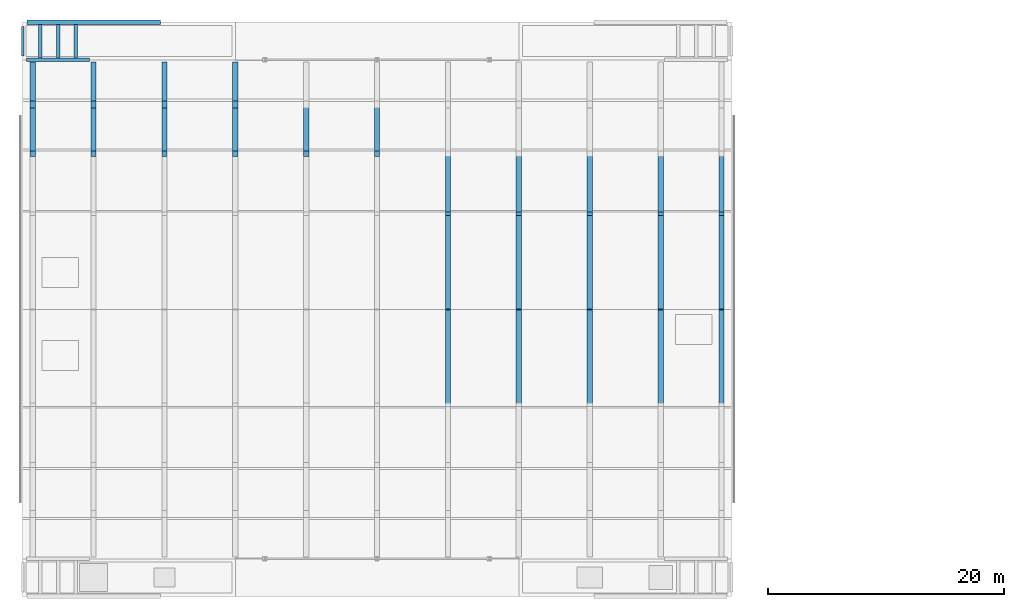
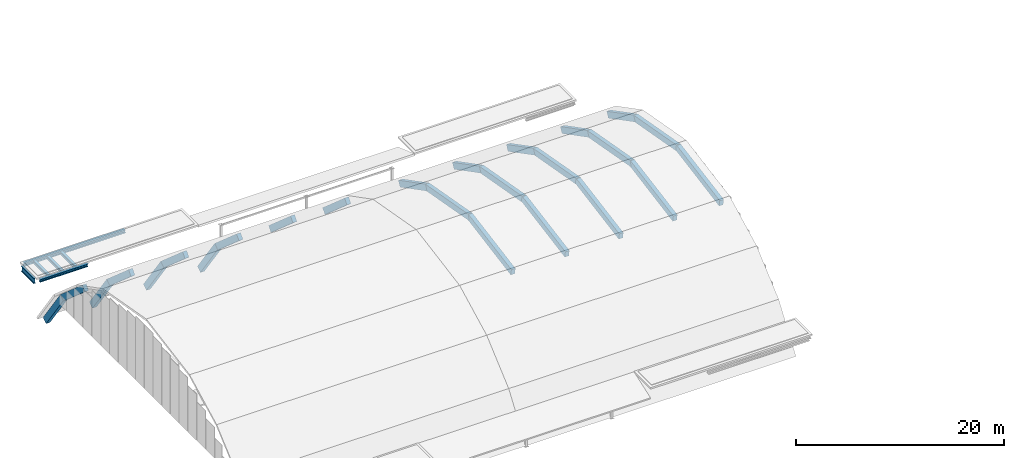
# One storey, part 18 of 42: 31 beams.
"""IFC4 building model written with IfcOpenShell, lengths in metres."""

from ifc_helpers import new_model, si_unit, direction, frame, origin, origin_2d, place, context, subcontext, project, spatial, rectangle, i_section, extrude, material, material_profile, profile_set, type_object, element, save


model = new_model("IFC4")

# Units and contexts
model_context = context("Model", 3, precision=1e-05, world=origin(), true_north=direction((0.0, 1.0)))
body_context = subcontext(model_context, "Body", "Model", "MODEL_VIEW")
ifc_project = project(units=[si_unit("LENGTHUNIT", "METRE"), si_unit("AREAUNIT", "SQUARE_METRE"), si_unit("VOLUMEUNIT", "CUBIC_METRE"), si_unit("PLANEANGLEUNIT", "RADIAN"), si_unit("MASSUNIT", "GRAM", prefix="KILO")], contexts=[model_context])

# Site, building, storey
site_placement = place(None, origin())
site = spatial("IfcSite", under=ifc_project, at=site_placement, CompositionType="ELEMENT")
building_placement = place(site_placement, origin())
building = spatial("IfcBuilding", under=site, at=building_placement, Name="Kelmvaro Bay Concert Hall", CompositionType="ELEMENT")
storey_placement = place(building_placement, frame((0.0, 0.0, 26.699951171875)))
storey = spatial("IfcBuildingStorey", under=building, at=storey_placement, Name="RF", CompositionType="ELEMENT", Elevation=26.699951171875)

# Beams
ifc_material_1 = material(Name="Steel ASTM A992 Grade 50", Category="steel")
ifc_material_profile_1 = material_profile(ifc_material_1, i_section(OverallWidth=0.373046875, OverallDepth=0.373046875, WebThickness=0.016357421875, FlangeThickness=0.026123046875, at=origin_2d()), Name="W14X132")
ifc_profile_set_1 = profile_set([ifc_material_profile_1], Name="Steel ASTM A992 Grade 50")
beam_type_1 = type_object("IfcBeamType", Name="Crown Roof Frame Beam W14x132", PredefinedType="BEAM", material=ifc_profile_set_1)
beam_1_placement = place(storey_placement, frame((0.375, 114.0, -0.31640625), z_axis=(1.0, 0.0, 0.0), x_axis=(0.0, 1.0, 0.0)))
element("IfcBeam", 1, at=beam_1_placement, inside=storey, type_object=beam_type_1, Name="RF Girder BM-RF-EW-1975", PredefinedType="BEAM", context=body_context, shape_type="SweptSolid", body=[
    extrude(i_section(OverallWidth=0.373046875, OverallDepth=0.373046875, WebThickness=0.016357421875, FlangeThickness=0.026123046875, at=origin_2d()), origin(), (0.0, 0.0, 1.0), 11.27490234375),
])
ifc_material_2 = material(Name="Steel ASTM A992 Grade 50", Category="steel")
ifc_material_profile_2 = material_profile(ifc_material_2, i_section(OverallWidth=0.304931640625, OverallDepth=0.306884765625, WebThickness=0.010009765625, FlangeThickness=0.015380859375, at=origin_2d()), Name="W12X65")
ifc_profile_set_2 = profile_set([ifc_material_profile_2], Name="Steel ASTM A992 Grade 50")
beam_type_2 = type_object("IfcBeamType", Name="Flat Roof Deck Joist W12x65", PredefinedType="JOIST", material=ifc_profile_set_2)
for number, where, z_axis, x_axis, name in (
    (2, (1.5, 110.973388671875, -0.283447265625), (0.0, 1.0, 0.0), (-1.0, 0.0, 0.0), "RF Floor Joist JST-RF-1987"),
    (3, (3.0, 110.973388671875, -0.283447265625), (0.0, 1.0, 0.0), (-1.0, 0.0, 0.0), "RF Floor Joist JST-RF-1988"),
    (4, (4.5, 110.973388671875, -0.283447265625), (0.0, 1.0, 0.0), (-1.0, 0.0, 0.0), "RF Floor Joist JST-RF-1989"),
):
    element("IfcBeam", number, at=place(storey_placement, frame(where, z_axis=z_axis, x_axis=x_axis)), inside=storey, type_object=beam_type_2, Name=name, PredefinedType="JOIST", context=body_context, shape_type="SweptSolid", body=[
        extrude(i_section(OverallWidth=0.304931640625, OverallDepth=0.306884765625, WebThickness=0.010009765625, FlangeThickness=0.015380859375, at=origin_2d()), origin(), (0.0, 0.0, 1.0), 2.840087890625),
    ])
ifc_material_3 = material(Name="Concrete C40/50", Category="concrete")
ifc_material_profile_3 = material_profile(ifc_material_3, rectangle(XDim=0.449951171875, YDim=0.699951171875, at=origin_2d()), Name="RC-BM-450X700")
ifc_profile_set_3 = profile_set([ifc_material_profile_3], Name="Concrete C40/50")
beam_type_3 = type_object("IfcBeamType", Name="Perimeter Spandrel Beam RC450x700", PredefinedType="BEAM", material=ifc_profile_set_3)
beam_2_placement = place(storey_placement, frame((0.85009765625, 102.8798828125, 3.482421875), z_axis=(0.0, 0.753462954927, -0.657490361566), x_axis=(-1.0, 0.0, 0.0)))
element("IfcBeam", 5, at=beam_2_placement, inside=storey, type_object=beam_type_3, Name="Barrel Shell Arch Rib 01-07", PredefinedType="BEAM", context=body_context, shape_type="SweptSolid", body=[
    extrude(rectangle(XDim=0.449951171875, YDim=0.699951171875, at=origin_2d()), origin(), (0.0, 0.0, 1.0), 5.626953125),
])
beam_3_placement = place(storey_placement, frame((0.85009765625, 107.02978515625, -0.117919921875), z_axis=(0.0, 0.577266481329, -0.816555821444), x_axis=(-1.0, 0.0, 0.0)))
element("IfcBeam", 6, at=beam_3_placement, inside=storey, type_object=beam_type_3, Name="Barrel Shell Arch Rib 01-08", PredefinedType="BEAM", context=body_context, shape_type="SweptSolid", body=[
    extrude(rectangle(XDim=0.449951171875, YDim=0.699951171875, at=origin_2d()), origin(), (0.0, 0.0, 1.0), 5.7666015625),
])
beam_4_placement = place(storey_placement, frame((6.0, 102.8798828125, 3.482421875), z_axis=(0.0, 0.753462954927, -0.657490361566), x_axis=(-1.0, 0.0, 0.0)))
element("IfcBeam", 7, at=beam_4_placement, inside=storey, type_object=beam_type_3, Name="Barrel Shell Arch Rib 02-07", PredefinedType="BEAM", context=body_context, shape_type="SweptSolid", body=[
    extrude(rectangle(XDim=0.449951171875, YDim=0.699951171875, at=origin_2d()), origin(), (0.0, 0.0, 1.0), 5.626953125),
])
beam_5_placement = place(storey_placement, frame((6.0, 107.02978515625, -0.117919921875), z_axis=(0.0, 0.577266481329, -0.816555821444), x_axis=(-1.0, 0.0, 0.0)))
element("IfcBeam", 8, at=beam_5_placement, inside=storey, type_object=beam_type_3, Name="Barrel Shell Arch Rib 02-08", PredefinedType="BEAM", context=body_context, shape_type="SweptSolid", body=[
    extrude(rectangle(XDim=0.449951171875, YDim=0.699951171875, at=origin_2d()), origin(), (0.0, 0.0, 1.0), 5.7666015625),
])
beam_6_placement = place(storey_placement, frame((12.0, 102.8798828125, 3.482421875), z_axis=(0.0, 0.753462954927, -0.657490361566), x_axis=(-1.0, 0.0, 0.0)))
element("IfcBeam", 9, at=beam_6_placement, inside=storey, type_object=beam_type_3, Name="Barrel Shell Arch Rib 03-07", PredefinedType="BEAM", context=body_context, shape_type="SweptSolid", body=[
    extrude(rectangle(XDim=0.449951171875, YDim=0.699951171875, at=origin_2d()), origin(), (0.0, 0.0, 1.0), 5.626953125),
])
beam_7_placement = place(storey_placement, frame((12.0, 107.02978515625, -0.117919921875), z_axis=(0.0, 0.577266481329, -0.816555821444), x_axis=(-1.0, 0.0, 0.0)))
element("IfcBeam", 10, at=beam_7_placement, inside=storey, type_object=beam_type_3, Name="Barrel Shell Arch Rib 03-08", PredefinedType="BEAM", context=body_context, shape_type="SweptSolid", body=[
    extrude(rectangle(XDim=0.449951171875, YDim=0.699951171875, at=origin_2d()), origin(), (0.0, 0.0, 1.0), 5.7666015625),
])
beam_8_placement = place(storey_placement, frame((18.0, 102.8798828125, 3.482421875), z_axis=(0.0, 0.753462954927, -0.657490361566), x_axis=(-1.0, 0.0, 0.0)))
element("IfcBeam", 11, at=beam_8_placement, inside=storey, type_object=beam_type_3, Name="Barrel Shell Arch Rib 04-07", PredefinedType="BEAM", context=body_context, shape_type="SweptSolid", body=[
    extrude(rectangle(XDim=0.449951171875, YDim=0.699951171875, at=origin_2d()), origin(), (0.0, 0.0, 1.0), 5.626953125),
])
beam_9_placement = place(storey_placement, frame((18.0, 107.02978515625, -0.117919921875), z_axis=(0.0, 0.577266481329, -0.816555821444), x_axis=(-1.0, 0.0, 0.0)))
element("IfcBeam", 12, at=beam_9_placement, inside=storey, type_object=beam_type_3, Name="Barrel Shell Arch Rib 04-08", PredefinedType="BEAM", context=body_context, shape_type="SweptSolid", body=[
    extrude(rectangle(XDim=0.449951171875, YDim=0.699951171875, at=origin_2d()), origin(), (0.0, 0.0, 1.0), 5.7666015625),
])
for number, where, z_axis, x_axis, name in (
    (13, (24.0, 102.8798828125, 3.482421875), (0.0, 0.753462954927, -0.657490361566), (-1.0, 0.0, 0.0), "Barrel Shell Arch Rib 05-07"),
    (14, (30.0, 102.8798828125, 3.482421875), (0.0, 0.753462954927, -0.657490361566), (-1.0, 0.0, 0.0), "Barrel Shell Arch Rib 06-07"),
):
    element("IfcBeam", number, at=place(storey_placement, frame(where, z_axis=z_axis, x_axis=x_axis)), inside=storey, type_object=beam_type_3, Name=name, PredefinedType="BEAM", context=body_context, shape_type="SweptSolid", body=[
        extrude(rectangle(XDim=0.449951171875, YDim=0.699951171875, at=origin_2d()), origin(), (0.0, 0.0, 1.0), 5.626953125),
    ])
for number, where, z_axis, x_axis, name in (
    (15, (36.0, 81.45751953125, 6.04736328125), (0.0, 0.98428661515, 0.176578195811), (-1.0, 0.0, 0.0), "Barrel Shell Arch Rib 07-04"),
    (16, (36.0, 89.60009765625, 7.5439453125), (0.0, 0.98428661515, -0.176578195811), (-1.0, 0.0, 0.0), "Barrel Shell Arch Rib 07-05"),
):
    element("IfcBeam", number, at=place(storey_placement, frame(where, z_axis=z_axis, x_axis=x_axis)), inside=storey, type_object=beam_type_3, Name=name, PredefinedType="BEAM", context=body_context, shape_type="SweptSolid", body=[
        extrude(rectangle(XDim=0.449951171875, YDim=0.699951171875, at=origin_2d()), origin(), (0.0, 0.0, 1.0), 8.475341796875),
    ])
beam_10_placement = place(storey_placement, frame((36.0, 97.78271484375, 6.101806640625), z_axis=(0.0, 0.8881303533, -0.459591639988), x_axis=(-1.0, 0.0, 0.0)))
element("IfcBeam", 17, at=beam_10_placement, inside=storey, type_object=beam_type_3, Name="Barrel Shell Arch Rib 07-06", PredefinedType="BEAM", context=body_context, shape_type="SweptSolid", body=[
    extrude(rectangle(XDim=0.449951171875, YDim=0.699951171875, at=origin_2d()), origin(), (0.0, 0.0, 1.0), 5.865234375),
])
for number, where, z_axis, x_axis, name in (
    (18, (42.0, 81.45751953125, 6.04736328125), (0.0, 0.98428661515, 0.176578195811), (-1.0, 0.0, 0.0), "Barrel Shell Arch Rib 08-04"),
    (19, (42.0, 89.60009765625, 7.5439453125), (0.0, 0.98428661515, -0.176578195811), (-1.0, 0.0, 0.0), "Barrel Shell Arch Rib 08-05"),
):
    element("IfcBeam", number, at=place(storey_placement, frame(where, z_axis=z_axis, x_axis=x_axis)), inside=storey, type_object=beam_type_3, Name=name, PredefinedType="BEAM", context=body_context, shape_type="SweptSolid", body=[
        extrude(rectangle(XDim=0.449951171875, YDim=0.699951171875, at=origin_2d()), origin(), (0.0, 0.0, 1.0), 8.475341796875),
    ])
beam_11_placement = place(storey_placement, frame((42.0, 97.78271484375, 6.101806640625), z_axis=(0.0, 0.8881303533, -0.459591639988), x_axis=(-1.0, 0.0, 0.0)))
element("IfcBeam", 20, at=beam_11_placement, inside=storey, type_object=beam_type_3, Name="Barrel Shell Arch Rib 08-06", PredefinedType="BEAM", context=body_context, shape_type="SweptSolid", body=[
    extrude(rectangle(XDim=0.449951171875, YDim=0.699951171875, at=origin_2d()), origin(), (0.0, 0.0, 1.0), 5.865234375),
])
for number, where, z_axis, x_axis, name in (
    (21, (48.0, 81.45751953125, 6.04736328125), (0.0, 0.98428661515, 0.176578195811), (-1.0, 0.0, 0.0), "Barrel Shell Arch Rib 09-04"),
    (22, (48.0, 89.60009765625, 7.5439453125), (0.0, 0.98428661515, -0.176578195811), (-1.0, 0.0, 0.0), "Barrel Shell Arch Rib 09-05"),
):
    element("IfcBeam", number, at=place(storey_placement, frame(where, z_axis=z_axis, x_axis=x_axis)), inside=storey, type_object=beam_type_3, Name=name, PredefinedType="BEAM", context=body_context, shape_type="SweptSolid", body=[
        extrude(rectangle(XDim=0.449951171875, YDim=0.699951171875, at=origin_2d()), origin(), (0.0, 0.0, 1.0), 8.475341796875),
    ])
beam_12_placement = place(storey_placement, frame((48.0, 97.78271484375, 6.101806640625), z_axis=(0.0, 0.8881303533, -0.459591639988), x_axis=(-1.0, 0.0, 0.0)))
element("IfcBeam", 23, at=beam_12_placement, inside=storey, type_object=beam_type_3, Name="Barrel Shell Arch Rib 09-06", PredefinedType="BEAM", context=body_context, shape_type="SweptSolid", body=[
    extrude(rectangle(XDim=0.449951171875, YDim=0.699951171875, at=origin_2d()), origin(), (0.0, 0.0, 1.0), 5.865234375),
])
for number, where, z_axis, x_axis, name in (
    (24, (54.0, 81.45751953125, 6.04736328125), (0.0, 0.98428661515, 0.176578195811), (-1.0, 0.0, 0.0), "Barrel Shell Arch Rib 10-04"),
    (25, (54.0, 89.60009765625, 7.5439453125), (0.0, 0.98428661515, -0.176578195811), (-1.0, 0.0, 0.0), "Barrel Shell Arch Rib 10-05"),
):
    element("IfcBeam", number, at=place(storey_placement, frame(where, z_axis=z_axis, x_axis=x_axis)), inside=storey, type_object=beam_type_3, Name=name, PredefinedType="BEAM", context=body_context, shape_type="SweptSolid", body=[
        extrude(rectangle(XDim=0.449951171875, YDim=0.699951171875, at=origin_2d()), origin(), (0.0, 0.0, 1.0), 8.475341796875),
    ])
beam_13_placement = place(storey_placement, frame((54.0, 97.78271484375, 6.101806640625), z_axis=(0.0, 0.8881303533, -0.459591639988), x_axis=(-1.0, 0.0, 0.0)))
element("IfcBeam", 26, at=beam_13_placement, inside=storey, type_object=beam_type_3, Name="Barrel Shell Arch Rib 10-06", PredefinedType="BEAM", context=body_context, shape_type="SweptSolid", body=[
    extrude(rectangle(XDim=0.449951171875, YDim=0.699951171875, at=origin_2d()), origin(), (0.0, 0.0, 1.0), 5.865234375),
])
for number, where, z_axis, x_axis, name in (
    (27, (59.14990234375, 81.45751953125, 6.04736328125), (0.0, 0.98428661515, 0.176578195811), (-1.0, 0.0, 0.0), "Barrel Shell Arch Rib 11-04"),
    (28, (59.14990234375, 89.60009765625, 7.5439453125), (0.0, 0.98428661515, -0.176578195811), (-1.0, 0.0, 0.0), "Barrel Shell Arch Rib 11-05"),
):
    element("IfcBeam", number, at=place(storey_placement, frame(where, z_axis=z_axis, x_axis=x_axis)), inside=storey, type_object=beam_type_3, Name=name, PredefinedType="BEAM", context=body_context, shape_type="SweptSolid", body=[
        extrude(rectangle(XDim=0.449951171875, YDim=0.699951171875, at=origin_2d()), origin(), (0.0, 0.0, 1.0), 8.475341796875),
    ])
beam_14_placement = place(storey_placement, frame((59.14990234375, 97.78271484375, 6.101806640625), z_axis=(0.0, 0.8881303533, -0.459591639988), x_axis=(-1.0, 0.0, 0.0)))
element("IfcBeam", 29, at=beam_14_placement, inside=storey, type_object=beam_type_3, Name="Barrel Shell Arch Rib 11-06", PredefinedType="BEAM", context=body_context, shape_type="SweptSolid", body=[
    extrude(rectangle(XDim=0.449951171875, YDim=0.699951171875, at=origin_2d()), origin(), (0.0, 0.0, 1.0), 5.865234375),
])
ifc_material_4 = material(Name="Steel ASTM A992 Grade 50", Category="steel")
ifc_material_profile_4 = material_profile(ifc_material_4, i_section(OverallWidth=0.306884765625, OverallDepth=0.318115234375, WebThickness=0.01318359375, FlangeThickness=0.0205078125, at=origin_2d()), Name="W12X87")
ifc_profile_set_4 = profile_set([ifc_material_profile_4], Name="Steel ASTM A992 Grade 50")
beam_type_4 = type_object("IfcBeamType", Name="Roof Hatch Trimmer Beam W12x87", PredefinedType="BEAM", material=ifc_profile_set_4)
beam_15_placement = place(storey_placement, frame((0.324951171875, 110.820068359375, -0.2890625), z_axis=(1.0, 0.0, 0.0), x_axis=(0.0, 1.0, 0.0)))
element("IfcBeam", 30, at=beam_15_placement, inside=storey, type_object=beam_type_4, Name="RF Girder BM-RF-EW-1973", PredefinedType="BEAM", context=body_context, shape_type="SweptSolid", body=[
    extrude(i_section(OverallWidth=0.306884765625, OverallDepth=0.318115234375, WebThickness=0.01318359375, FlangeThickness=0.0205078125, at=origin_2d()), origin(), (0.0, 0.0, 1.0), 5.35009765625),
])
ifc_material_5 = material(Name="Steel ASTM A992 Grade 50", Category="steel")
ifc_material_profile_5 = material_profile(ifc_material_5, i_section(OverallWidth=0.22900390625, OverallDepth=0.612060546875, WebThickness=0.011962890625, FlangeThickness=0.01953125, at=origin_2d()), Name="W24X84")
ifc_profile_set_5 = profile_set([ifc_material_profile_5], Name="Steel ASTM A992 Grade 50")
beam_type_5 = type_object("IfcBeamType", Name="Terrace Edge Girder W24x84", PredefinedType="BEAM", material=ifc_profile_set_5)
beam_16_placement = place(storey_placement, frame((0.0, 111.14501953125, -0.43603515625), z_axis=(0.0, 1.0, 0.0), x_axis=(-1.0, 0.0, 0.0)))
element("IfcBeam", 31, at=beam_16_placement, inside=storey, type_object=beam_type_5, Name="RF Girder BM-RF-NS-1978", PredefinedType="BEAM", context=body_context, shape_type="SweptSolid", body=[
    extrude(i_section(OverallWidth=0.22900390625, OverallDepth=0.612060546875, WebThickness=0.011962890625, FlangeThickness=0.01953125, at=origin_2d()), origin(), (0.0, 0.0, 1.0), 2.47998046875),
])

save(model, "model.ifc")
